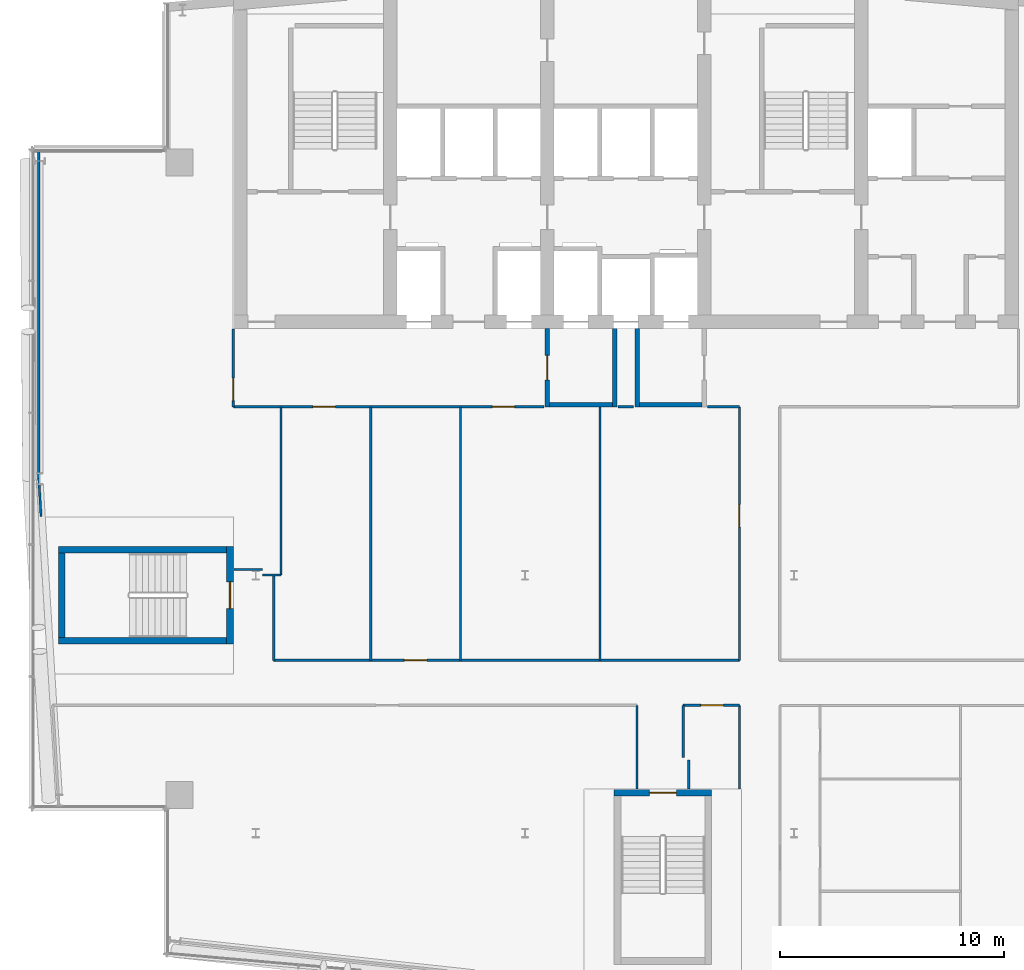
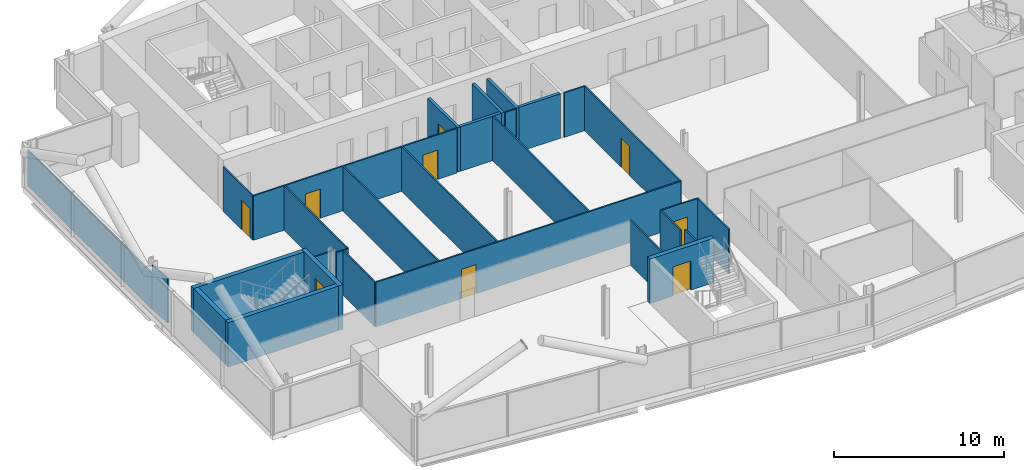
# One storey, part 15 of 27: 30 walls, 9 doors, 9 openings.
"""IFC4 building model written with IfcOpenShell, lengths in metres."""

from ifc_helpers import new_model, si_unit, direction, frame, frame_2d, origin, place, context, subcontext, project, spatial, rectangle, extrude, material, layer, layer_set, type_object, element, fill, save


model = new_model("IFC4")

# Units and contexts
model_context = context("Model", 3, precision=1e-05, world=origin(), true_north=direction((0.0, 1.0)))
body_context = subcontext(model_context, "Body", "Model", "MODEL_VIEW")
ifc_project = project(units=[si_unit("LENGTHUNIT", "METRE"), si_unit("AREAUNIT", "SQUARE_METRE"), si_unit("VOLUMEUNIT", "CUBIC_METRE"), si_unit("PLANEANGLEUNIT", "RADIAN"), si_unit("MASSUNIT", "GRAM", prefix="KILO")], contexts=[model_context])

# Site, building, storey
site_placement = place(None, origin())
site = spatial("IfcSite", under=ifc_project, at=site_placement, CompositionType="ELEMENT")
building_placement = place(site_placement, origin())
building = spatial("IfcBuilding", under=site, at=building_placement, Name="Wharfspan Tower", CompositionType="ELEMENT")
storey_placement = place(building_placement, frame((0.0, 0.0, 210.699951)))
storey = spatial("IfcBuildingStorey", under=building, at=storey_placement, Name="L52", CompositionType="ELEMENT", Elevation=210.699951)

# Wall, opening, door
ifc_material_1 = material(Name="Gypsum board on steel studs", Category="steel")
ifc_layer_1 = layer(ifc_material_1, 0.100098)
ifc_layer_set_1 = layer_set([ifc_layer_1], Name="Gypsum board on steel studs")
wall_type_1 = type_object("IfcWallType", Name="Compartment wall 100 EI 60", PredefinedType="PARTITIONING", material=ifc_layer_set_1)
wall_1_placement = place(storey_placement, frame((23.0, 30.5, 0.0), z_axis=(0.0, 0.0, 1.0), x_axis=(0.0, 1.0, 0.0)))
wall_1 = element("IfcWall", 1, at=wall_1_placement, inside=storey, type_object=wall_type_1, Name="Partition L52.w005", PredefinedType="PARTITIONING", context=body_context, shape_type="SweptSolid", body=[
    extrude(rectangle(XDim=3.47998, YDim=0.100098, at=frame_2d((1.73999, 0.0))), origin(), (0.0, 0.0, 1.0), 3.199951),
])
opening_1_placement = place(wall_1_placement, frame((0.280029, 0.0, 0.0)))
opening_1 = element("IfcOpeningElement", 2, at=opening_1_placement, cuts=wall_1, Name="Opening D2-16", PredefinedType="OPENING", context=body_context, shape_type="SweptSolid", body=[
    extrude(rectangle(XDim=1.0, YDim=2.100098, at=frame_2d((0.5, 1.050049))), frame((0.0, 0.060059, 0.0), z_axis=(0.0, -1.0, 0.0), x_axis=(1.0, 0.0, 0.0)), (0.0, 0.0, 1.0), 0.120117),
])
ifc_material_2 = material(Name="Fire-rated timber door leaf in steel frame", Category="steel")
door_type_1 = type_object("IfcDoorType", Name="Door 1000 FD30S Left", OperationType="SINGLE_SWING_LEFT", PredefinedType="DOOR", material=ifc_material_2)
door_1_placement = place(opening_1_placement, origin())
door_1 = element("IfcDoor", 3, at=door_1_placement, inside=storey, type_object=door_type_1, Name="Door D2-16", OperationType="SINGLE_SWING_LEFT", OverallHeight=2.100098, OverallWidth=1.0, PredefinedType="DOOR", context=body_context, shape_type="SweptSolid", body=[
    extrude(rectangle(XDim=1.0, YDim=2.100098, at=frame_2d((0.5, 1.050049))), frame((0.0, 0.024902, 0.0), z_axis=(0.0, -1.0, 0.0), x_axis=(1.0, 0.0, 0.0)), (0.0, 0.0, 1.0), 0.050049),
])
fill(opening_1, door_1)

# Wall, openings, doors
wall_2_placement = place(storey_placement, frame((23.0, 30.5, 0.0), z_axis=(0.0, 0.0, 1.0), x_axis=(1.0, 0.0, 0.0)))
wall_2 = element("IfcWall", 4, at=wall_2_placement, inside=storey, type_object=wall_type_1, Name="Partition L52.w006", PredefinedType="PARTITIONING", context=body_context, shape_type="SweptSolid", body=[
    extrude(rectangle(XDim=13.850098, YDim=0.100098, at=frame_2d((6.925049, 0.0))), origin(), (0.0, 0.0, 1.0), 3.199951),
])
opening_2_placement = place(wall_2_placement, frame((3.544922, 0.0, 0.0)))
opening_2 = element("IfcOpeningElement", 5, at=opening_2_placement, cuts=wall_2, Name="Opening D2-13", PredefinedType="OPENING", context=body_context, shape_type="SweptSolid", body=[
    extrude(rectangle(XDim=1.0, YDim=2.100098, at=frame_2d((0.5, 1.050049))), frame((0.0, 0.060059, 0.0), z_axis=(0.0, -1.0, 0.0), x_axis=(1.0, 0.0, 0.0)), (0.0, 0.0, 1.0), 0.120117),
])
opening_3_placement = place(wall_2_placement, frame((11.544922, 0.0, 0.0)))
opening_3 = element("IfcOpeningElement", 6, at=opening_3_placement, cuts=wall_2, Name="Opening D2-14", PredefinedType="OPENING", context=body_context, shape_type="SweptSolid", body=[
    extrude(rectangle(XDim=1.0, YDim=2.100098, at=frame_2d((0.5, 1.050049))), frame((0.0, 0.060059, 0.0), z_axis=(0.0, -1.0, 0.0), x_axis=(1.0, 0.0, 0.0)), (0.0, 0.0, 1.0), 0.120117),
])
door_2_placement = place(opening_2_placement, origin())
door_2 = element("IfcDoor", 7, at=door_2_placement, inside=storey, type_object=door_type_1, Name="Door D2-13", OperationType="SINGLE_SWING_LEFT", OverallHeight=2.100098, OverallWidth=1.0, PredefinedType="DOOR", context=body_context, shape_type="SweptSolid", body=[
    extrude(rectangle(XDim=1.0, YDim=2.100098, at=frame_2d((0.5, 1.050049))), frame((0.0, 0.024902, 0.0), z_axis=(0.0, -1.0, 0.0), x_axis=(1.0, 0.0, 0.0)), (0.0, 0.0, 1.0), 0.050049),
])
fill(opening_2, door_2)
door_type_2 = type_object("IfcDoorType", Name="Door 1000 FD30S Right", OperationType="SINGLE_SWING_RIGHT", PredefinedType="DOOR", material=ifc_material_2)
door_3_placement = place(opening_3_placement, origin())
door_3 = element("IfcDoor", 8, at=door_3_placement, inside=storey, type_object=door_type_2, Name="Door D2-14", OperationType="SINGLE_SWING_RIGHT", OverallHeight=2.100098, OverallWidth=1.0, PredefinedType="DOOR", context=body_context, shape_type="SweptSolid", body=[
    extrude(rectangle(XDim=1.0, YDim=2.100098, at=frame_2d((0.5, 1.050049))), frame((0.0, 0.024902, 0.0), z_axis=(0.0, -1.0, 0.0), x_axis=(1.0, 0.0, 0.0)), (0.0, 0.0, 1.0), 0.050049),
])
fill(opening_3, door_3)

# Walls
wall_3_placement = place(storey_placement, frame((23.02002, 23.25, 0.0), z_axis=(0.0, 0.0, 1.0), x_axis=(1.0, 0.0, 0.0)))
element("IfcWall", 9, at=wall_3_placement, inside=storey, type_object=wall_type_1, Name="Partition L52.w007", PredefinedType="PARTITIONING", context=body_context, shape_type="SweptSolid", body=[
    extrude(rectangle(XDim=1.280029, YDim=0.100098, at=frame_2d((0.640137, 0.0))), origin(), (0.0, 0.0, 1.0), 3.199951),
])
wall_4_placement = place(storey_placement, frame((24.304932, 23.0, 0.0), z_axis=(0.0, 0.0, 1.0), x_axis=(1.0, 0.0, 0.0)))
element("IfcWall", 10, at=wall_4_placement, inside=storey, type_object=wall_type_1, Name="Partition L52.w008", PredefinedType="PARTITIONING", context=body_context, shape_type="SweptSolid", body=[
    extrude(rectangle(XDim=0.820068, YDim=0.100098, at=frame_2d((0.410156, 0.0))), origin(), (0.0, 0.0, 1.0), 3.199951),
])
wall_5_placement = place(storey_placement, frame((24.800049, 19.199951, 0.0), z_axis=(0.0, 0.0, 1.0), x_axis=(0.0, 1.0, 0.0)))
element("IfcWall", 11, at=wall_5_placement, inside=storey, type_object=wall_type_1, Name="Partition L52.w009", PredefinedType="PARTITIONING", context=body_context, shape_type="SweptSolid", body=[
    extrude(rectangle(XDim=3.800049, YDim=0.100098, at=frame_2d((1.899902, 0.0))), origin(), (0.0, 0.0, 1.0), 3.199951),
])

# Wall, opening, door
wall_6_placement = place(storey_placement, frame((24.800049, 19.199951, 0.0), z_axis=(0.0, 0.0, 1.0), x_axis=(1.0, 0.0, 0.0)))
wall_6 = element("IfcWall", 12, at=wall_6_placement, inside=storey, type_object=wall_type_1, Name="Partition L52.w010", PredefinedType="PARTITIONING", context=body_context, shape_type="SweptSolid", body=[
    extrude(rectangle(XDim=20.76001, YDim=0.100098, at=frame_2d((10.379883, 0.0))), origin(), (0.0, 0.0, 1.0), 3.199951),
])
opening_4_placement = place(wall_6_placement, frame((5.824951, 0.0, 0.0)))
opening_4 = element("IfcOpeningElement", 13, at=opening_4_placement, cuts=wall_6, Name="Opening D2-09", PredefinedType="OPENING", context=body_context, shape_type="SweptSolid", body=[
    extrude(rectangle(XDim=1.0, YDim=2.100098, at=frame_2d((0.5, 1.050049))), frame((0.0, 0.060059, 0.0), z_axis=(0.0, -1.0, 0.0), x_axis=(1.0, 0.0, 0.0)), (0.0, 0.0, 1.0), 0.120117),
])
door_4_placement = place(opening_4_placement, origin())
door_4 = element("IfcDoor", 14, at=door_4_placement, inside=storey, type_object=door_type_1, Name="Door D2-09", OperationType="SINGLE_SWING_LEFT", OverallHeight=2.100098, OverallWidth=1.0, PredefinedType="DOOR", context=body_context, shape_type="SweptSolid", body=[
    extrude(rectangle(XDim=1.0, YDim=2.100098, at=frame_2d((0.5, 1.050049))), frame((0.0, 0.024902, 0.0), z_axis=(0.0, -1.0, 0.0), x_axis=(1.0, 0.0, 0.0)), (0.0, 0.0, 1.0), 0.050049),
])
fill(opening_4, door_4)

# Walls
wall_7_placement = place(storey_placement, frame((25.125, 23.0, 0.0), z_axis=(0.0, 0.0, 1.0), x_axis=(0.0, 1.0, 0.0)))
element("IfcWall", 15, at=wall_7_placement, inside=storey, type_object=wall_type_1, Name="Partition L52.w011", PredefinedType="PARTITIONING", context=body_context, shape_type="SweptSolid", body=[
    extrude(rectangle(XDim=7.5, YDim=0.100098, at=frame_2d((3.75, 0.0))), origin(), (0.0, 0.0, 1.0), 3.199951),
])
for number, where, z_axis, x_axis, name in (
    (16, (29.125, 19.199951, 0.0), (0.0, 0.0, 1.0), (0.0, 1.0, 0.0), "Partition L52.w012"),
    (17, (33.125, 19.199951, 0.0), (0.0, 0.0, 1.0), (0.0, 1.0, 0.0), "Partition L52.w013"),
    (18, (39.344971, 19.199951, 0.0), (0.0, 0.0, 1.0), (0.0, 1.0, 0.0), "Partition L52.w015"),
):
    element("IfcWall", number, at=place(storey_placement, frame(where, z_axis=z_axis, x_axis=x_axis)), inside=storey, type_object=wall_type_1, Name=name, PredefinedType="PARTITIONING", context=body_context, shape_type="SweptSolid", body=[
        extrude(rectangle(XDim=11.300049, YDim=0.100098, at=frame_2d((5.649902, 0.0))), origin(), (0.0, 0.0, 1.0), 3.199951),
    ])
wall_8_placement = place(storey_placement, frame((41.0, 13.463135, 0.0), z_axis=(0.0, 0.0, 1.0), x_axis=(0.0, 1.0, 0.0)))
element("IfcWall", 19, at=wall_8_placement, inside=storey, type_object=wall_type_1, Name="Partition L52.w016", PredefinedType="PARTITIONING", context=body_context, shape_type="SweptSolid", body=[
    extrude(rectangle(XDim=3.731934, YDim=0.100098, at=frame_2d((1.865967, 0.0))), origin(), (0.0, 0.0, 1.0), 3.199951),
])
wall_9_placement = place(storey_placement, frame((43.054932, 14.860107, 0.0), z_axis=(0.0, 0.0, 1.0), x_axis=(0.0, 1.0, 0.0)))
element("IfcWall", 20, at=wall_9_placement, inside=storey, type_object=wall_type_1, Name="Partition L52.w017", PredefinedType="PARTITIONING", context=body_context, shape_type="SweptSolid", body=[
    extrude(rectangle(XDim=2.334961, YDim=0.100098, at=frame_2d((1.16748, 0.0))), origin(), (0.0, 0.0, 1.0), 3.199951),
])

# Wall, opening, door
wall_10_placement = place(storey_placement, frame((43.054932, 17.195068, 0.0), z_axis=(0.0, 0.0, 1.0), x_axis=(1.0, 0.0, 0.0)))
wall_10 = element("IfcWall", 21, at=wall_10_placement, inside=storey, type_object=wall_type_1, Name="Partition L52.w018", PredefinedType="PARTITIONING", context=body_context, shape_type="SweptSolid", body=[
    extrude(rectangle(XDim=2.505127, YDim=0.100098, at=frame_2d((1.252441, 0.0))), origin(), (0.0, 0.0, 1.0), 3.199951),
])
opening_5_placement = place(wall_10_placement, frame((0.789307, 0.0, 0.0)))
opening_5 = element("IfcOpeningElement", 22, at=opening_5_placement, cuts=wall_10, Name="Opening D2-07", PredefinedType="OPENING", context=body_context, shape_type="SweptSolid", body=[
    extrude(rectangle(XDim=1.0, YDim=2.100098, at=frame_2d((0.5, 1.050049))), frame((0.0, 0.060059, 0.0), z_axis=(0.0, -1.0, 0.0), x_axis=(1.0, 0.0, 0.0)), (0.0, 0.0, 1.0), 0.120117),
])
door_5_placement = place(opening_5_placement, origin())
door_5 = element("IfcDoor", 23, at=door_5_placement, inside=storey, type_object=door_type_2, Name="Door D2-07", OperationType="SINGLE_SWING_RIGHT", OverallHeight=2.100098, OverallWidth=1.0, PredefinedType="DOOR", context=body_context, shape_type="SweptSolid", body=[
    extrude(rectangle(XDim=1.0, YDim=2.100098, at=frame_2d((0.5, 1.050049))), frame((0.0, 0.024902, 0.0), z_axis=(0.0, -1.0, 0.0), x_axis=(1.0, 0.0, 0.0)), (0.0, 0.0, 1.0), 0.050049),
])
fill(opening_5, door_5)

# Walls
wall_11_placement = place(storey_placement, frame((43.304932, 13.463135, 0.0), z_axis=(0.0, 0.0, 1.0), x_axis=(0.0, 1.0, 0.0)))
element("IfcWall", 24, at=wall_11_placement, inside=storey, type_object=wall_type_1, Name="Partition L52.w019", PredefinedType="PARTITIONING", context=body_context, shape_type="SweptSolid", body=[
    extrude(rectangle(XDim=1.281982, YDim=0.100098, at=frame_2d((0.641113, 0.0))), origin(), (0.0, 0.0, 1.0), 3.199951),
])
wall_12_placement = place(storey_placement, frame((45.560059, 13.463135, 0.0), z_axis=(0.0, 0.0, 1.0), x_axis=(0.0, 1.0, 0.0)))
element("IfcWall", 25, at=wall_12_placement, inside=storey, type_object=wall_type_1, Name="Partition L52.w020", PredefinedType="PARTITIONING", context=body_context, shape_type="SweptSolid", body=[
    extrude(rectangle(XDim=3.731934, YDim=0.100098, at=frame_2d((1.865967, 0.0))), origin(), (0.0, 0.0, 1.0), 3.199951),
])

# Wall, opening, door
wall_13_placement = place(storey_placement, frame((45.560059, 19.199951, 0.0), z_axis=(0.0, 0.0, 1.0), x_axis=(0.0, 1.0, 0.0)))
wall_13 = element("IfcWall", 26, at=wall_13_placement, inside=storey, type_object=wall_type_1, Name="Partition L52.w021", PredefinedType="PARTITIONING", context=body_context, shape_type="SweptSolid", body=[
    extrude(rectangle(XDim=11.300049, YDim=0.100098, at=frame_2d((5.649902, 0.0))), origin(), (0.0, 0.0, 1.0), 3.199951),
])
opening_6_placement = place(wall_13_placement, frame((5.939941, 0.0, 0.0)))
opening_6 = element("IfcOpeningElement", 27, at=opening_6_placement, cuts=wall_13, Name="Opening D2-12", PredefinedType="OPENING", context=body_context, shape_type="SweptSolid", body=[
    extrude(rectangle(XDim=1.0, YDim=2.100098, at=frame_2d((0.5, 1.050049))), frame((0.0, 0.060059, 0.0), z_axis=(0.0, -1.0, 0.0), x_axis=(1.0, 0.0, 0.0)), (0.0, 0.0, 1.0), 0.120117),
])
door_6_placement = place(opening_6_placement, origin())
door_6 = element("IfcDoor", 28, at=door_6_placement, inside=storey, type_object=door_type_2, Name="Door D2-12", OperationType="SINGLE_SWING_RIGHT", OverallHeight=2.100098, OverallWidth=1.0, PredefinedType="DOOR", context=body_context, shape_type="SweptSolid", body=[
    extrude(rectangle(XDim=1.0, YDim=2.100098, at=frame_2d((0.5, 1.050049))), frame((0.0, 0.024902, 0.0), z_axis=(0.0, -1.0, 0.0), x_axis=(1.0, 0.0, 0.0)), (0.0, 0.0, 1.0), 0.050049),
])
fill(opening_6, door_6)

# Walls
wall_14_placement = place(storey_placement, frame((40.149902, 30.5, 0.0), z_axis=(0.0, 0.0, 1.0), x_axis=(1.0, 0.0, 0.0)))
element("IfcWall", 29, at=wall_14_placement, inside=storey, type_object=wall_type_1, Name="Partition L52.w006 (2)", PredefinedType="PARTITIONING", context=body_context, shape_type="SweptSolid", body=[
    extrude(rectangle(XDim=0.700195, YDim=0.100098, at=frame_2d((0.350098, 0.0))), origin(), (0.0, 0.0, 1.0), 3.199951),
])
wall_15_placement = place(storey_placement, frame((44.149902, 30.5, 0.0), z_axis=(0.0, 0.0, 1.0), x_axis=(1.0, 0.0, 0.0)))
element("IfcWall", 30, at=wall_15_placement, inside=storey, type_object=wall_type_1, Name="Partition L52.w006 (3)", PredefinedType="PARTITIONING", context=body_context, shape_type="SweptSolid", body=[
    extrude(rectangle(XDim=1.410156, YDim=0.100098, at=frame_2d((0.705078, 0.0))), origin(), (0.0, 0.0, 1.0), 3.199951),
])

# Wall, opening, door
ifc_material_3 = material(Name="Concrete C30/37", Category="concrete")
ifc_layer_2 = layer(ifc_material_3, 0.199951)
ifc_layer_set_2 = layer_set([ifc_layer_2], Name="Concrete C30/37")
wall_type_2 = type_object("IfcWallType", Name="Lobby wall 200", PredefinedType="PARTITIONING", material=ifc_layer_set_2)
wall_16_placement = place(storey_placement, frame((37.0, 30.5, 0.0), z_axis=(0.0, 0.0, 1.0), x_axis=(0.0, 1.0, 0.0)))
wall_16 = element("IfcWall", 31, at=wall_16_placement, inside=storey, type_object=wall_type_2, Name="sw:L52:FLFF1W", PredefinedType="PARTITIONING", context=body_context, shape_type="SweptSolid", body=[
    extrude(rectangle(XDim=3.5, YDim=0.199951, at=frame_2d((1.75, 0.0))), origin(), (0.0, 0.0, 1.0), 3.199951),
])
opening_7_placement = place(wall_16_placement, frame((1.199951, 0.0, 0.0)))
opening_7 = element("IfcOpeningElement", 32, at=opening_7_placement, cuts=wall_16, Name="Opening FL.FF1.L52", PredefinedType="OPENING", context=body_context, shape_type="SweptSolid", body=[
    extrude(rectangle(XDim=1.100098, YDim=2.100098, at=frame_2d((0.550049, 1.050049))), frame((0.0, 0.109863, 0.0), z_axis=(0.0, -1.0, 0.0), x_axis=(1.0, 0.0, 0.0)), (0.0, 0.0, 1.0), 0.219971),
])
ifc_material_4 = material(Name="Steel door leaf", Category="steel")
door_type_3 = type_object("IfcDoorType", Name="Firefighting lobby door 1100x2100", OperationType="SINGLE_SWING_LEFT", PredefinedType="DOOR", material=ifc_material_4)
door_7_placement = place(opening_7_placement, origin())
door_7 = element("IfcDoor", 33, at=door_7_placement, inside=storey, type_object=door_type_3, Name="fd:L52:FF1", OperationType="SINGLE_SWING_LEFT", OverallHeight=2.100098, OverallWidth=1.100098, PredefinedType="DOOR", context=body_context, shape_type="SweptSolid", body=[
    extrude(rectangle(XDim=1.100098, YDim=2.100098, at=frame_2d((0.550049, 1.050049))), frame((0.0, 0.024902, 0.0), z_axis=(0.0, -1.0, 0.0), x_axis=(1.0, 0.0, 0.0)), (0.0, 0.0, 1.0), 0.050049),
])
fill(opening_7, door_7)

# Walls
wall_17_placement = place(storey_placement, frame((40.0, 30.5, 0.0), z_axis=(0.0, 0.0, 1.0), x_axis=(0.0, 1.0, 0.0)))
element("IfcWall", 34, at=wall_17_placement, inside=storey, type_object=wall_type_2, Name="sw:L52:FLFF1E", PredefinedType="PARTITIONING", context=body_context, shape_type="SweptSolid", body=[
    extrude(rectangle(XDim=3.5, YDim=0.199951, at=frame_2d((1.75, 0.0))), origin(), (0.0, 0.0, 1.0), 3.199951),
])
wall_18_placement = place(storey_placement, frame((37.100098, 30.600098, 0.0), z_axis=(0.0, 0.0, 1.0), x_axis=(1.0, 0.0, 0.0)))
element("IfcWall", 35, at=wall_18_placement, inside=storey, type_object=wall_type_2, Name="sw:L52:FLFF1F", PredefinedType="PARTITIONING", context=body_context, shape_type="SweptSolid", body=[
    extrude(rectangle(XDim=2.799805, YDim=0.199951, at=frame_2d((1.399902, 0.0))), origin(), (0.0, 0.0, 1.0), 3.199951),
])
wall_19_placement = place(storey_placement, frame((41.0, 30.5, 0.0), z_axis=(0.0, 0.0, 1.0), x_axis=(0.0, 1.0, 0.0)))
element("IfcWall", 36, at=wall_19_placement, inside=storey, type_object=wall_type_2, Name="sw:L52:FLFF2W", PredefinedType="PARTITIONING", context=body_context, shape_type="SweptSolid", body=[
    extrude(rectangle(XDim=3.5, YDim=0.199951, at=frame_2d((1.75, 0.0))), origin(), (0.0, 0.0, 1.0), 3.199951),
])
wall_20_placement = place(storey_placement, frame((41.100098, 30.600098, 0.0), z_axis=(0.0, 0.0, 1.0), x_axis=(1.0, 0.0, 0.0)))
element("IfcWall", 37, at=wall_20_placement, inside=storey, type_object=wall_type_2, Name="sw:L52:FLFF2F", PredefinedType="PARTITIONING", context=body_context, shape_type="SweptSolid", body=[
    extrude(rectangle(XDim=2.799805, YDim=0.199951, at=frame_2d((1.399902, 0.0))), origin(), (0.0, 0.0, 1.0), 3.199951),
])
ifc_layer_3 = layer(ifc_material_1, 0.100098)
ifc_layer_set_3 = layer_set([ifc_layer_3], Name="Gypsum board on steel studs")
wall_type_3 = type_object("IfcWallType", Name="Partition 100", PredefinedType="PARTITIONING", material=ifc_layer_set_3)
wall_21_placement = place(storey_placement, frame((14.324951, 27.300049, 0.0), z_axis=(0.0, 0.0, 1.0), x_axis=(0.0, 1.0, 0.0)))
element("IfcWall", 38, at=wall_21_placement, inside=storey, type_object=wall_type_3, Name="Partition L52.w001", PredefinedType="PARTITIONING", context=body_context, shape_type="SweptSolid", body=[
    extrude(rectangle(XDim=14.679932, YDim=0.100098, at=frame_2d((7.339844, 0.0))), origin(), (0.0, 0.0, 1.0), 2.580078),
])
wall_22_placement = place(storey_placement, frame((14.428711, 25.620117, 0.0), z_axis=(0.0, 0.0, 1.0), x_axis=(-0.061647, 0.998101, 0.0)))
element("IfcWall", 39, at=wall_22_placement, inside=storey, type_object=wall_type_3, Name="Partition L52.w002", PredefinedType="PARTITIONING", context=body_context, shape_type="SweptSolid", body=[
    extrude(rectangle(XDim=1.683105, YDim=0.100098, at=frame_2d((0.841553, 0.0))), origin(), (0.0, 0.0, 1.0), 3.199951),
])

# Wall, opening, door
ifc_material_5 = material(Name="Concrete C40/50", Category="concrete")
ifc_layer_4 = layer(ifc_material_5, 0.300049)
ifc_layer_set_4 = layer_set([ifc_layer_4], Name="Concrete C40/50")
wall_type_4 = type_object("IfcWallType", Name="Stair core wall 300", PredefinedType="SHEAR", material=ifc_layer_set_4)
wall_23_placement = place(storey_placement, frame((22.850098, 19.925049, 0.0), z_axis=(0.0, 0.0, 1.0), x_axis=(0.0, 1.0, 0.0)))
wall_23 = element("IfcWall", 40, at=wall_23_placement, inside=storey, type_object=wall_type_4, Name="ST3 stair enclosure wall L52", PredefinedType="SHEAR", context=body_context, shape_type="SweptSolid", body=[
    extrude(rectangle(XDim=4.349854, YDim=0.300049, at=frame_2d((2.174805, 0.0))), origin(), (0.0, 0.0, 1.0), 3.199951),
])
opening_8_placement = place(wall_23_placement, frame((1.574951, 0.0, 0.0)))
opening_8 = element("IfcOpeningElement", 41, at=opening_8_placement, cuts=wall_23, Name="Opening SD3.L52", PredefinedType="OPENING", context=body_context, shape_type="SweptSolid", body=[
    extrude(rectangle(XDim=1.199951, YDim=2.100098, at=frame_2d((0.600098, 1.050049))), frame((0.0, 0.159912, 0.0), z_axis=(0.0, -1.0, 0.0), x_axis=(1.0, 0.0, 0.0)), (0.0, 0.0, 1.0), 0.320068),
])
door_type_4 = type_object("IfcDoorType", Name="Stair door 1200x2100", OperationType="SINGLE_SWING_LEFT", PredefinedType="DOOR", material=ifc_material_4)
door_8_placement = place(opening_8_placement, origin())
door_8 = element("IfcDoor", 42, at=door_8_placement, inside=storey, type_object=door_type_4, Name="sd:L52:ST3z4", OperationType="SINGLE_SWING_RIGHT", OverallHeight=2.100098, OverallWidth=1.199951, PredefinedType="DOOR", context=body_context, shape_type="SweptSolid", body=[
    extrude(rectangle(XDim=1.199951, YDim=2.100098, at=frame_2d((0.600098, 1.050049))), frame((0.0, 0.024902, 0.0), z_axis=(0.0, -1.0, 0.0), x_axis=(1.0, 0.0, 0.0)), (0.0, 0.0, 1.0), 0.050049),
])
fill(opening_8, door_8)

wall_24_placement = place(storey_placement, frame((39.977051, 13.293213, 0.0), z_axis=(0.0, 0.0, 1.0), x_axis=(1.0, 0.0, 0.0)))
wall_24 = element("IfcWall", 43, at=wall_24_placement, inside=storey, type_object=wall_type_4, Name="ST4 stair enclosure wall L52", PredefinedType="SHEAR", context=body_context, shape_type="SweptSolid", body=[
    extrude(rectangle(XDim=4.350098, YDim=0.300049, at=frame_2d((2.175049, 0.0))), origin(), (0.0, 0.0, 1.0), 3.199951),
])
opening_9_placement = place(wall_24_placement, frame((1.574951, 0.0, 0.0)))
opening_9 = element("IfcOpeningElement", 44, at=opening_9_placement, cuts=wall_24, Name="Opening SD4.L52", PredefinedType="OPENING", context=body_context, shape_type="SweptSolid", body=[
    extrude(rectangle(XDim=1.199951, YDim=2.100098, at=frame_2d((0.600098, 1.050049))), frame((0.0, 0.159912, 0.0), z_axis=(0.0, -1.0, 0.0), x_axis=(1.0, 0.0, 0.0)), (0.0, 0.0, 1.0), 0.320068),
])
door_9_placement = place(opening_9_placement, origin())
door_9 = element("IfcDoor", 45, at=door_9_placement, inside=storey, type_object=door_type_4, Name="sd:L52:ST4z4", OperationType="SINGLE_SWING_RIGHT", OverallHeight=2.100098, OverallWidth=1.199951, PredefinedType="DOOR", context=body_context, shape_type="SweptSolid", body=[
    extrude(rectangle(XDim=1.199951, YDim=2.100098, at=frame_2d((0.600098, 1.050049))), frame((0.0, 0.024902, 0.0), z_axis=(0.0, -1.0, 0.0), x_axis=(1.0, 0.0, 0.0)), (0.0, 0.0, 1.0), 0.050049),
])
fill(opening_9, door_9)

# Walls
for number, where, z_axis, x_axis, name in (
    (46, (15.199951, 20.074951, 0.0), (0.0, 0.0, 1.0), (1.0, 0.0, 0.0), "ST3 stair enclosure wall L52"),
    (47, (15.199951, 24.125, 0.0), (0.0, 0.0, 1.0), (1.0, 0.0, 0.0), "ST3 stair enclosure wall L52"),
):
    element("IfcWall", number, at=place(storey_placement, frame(where, z_axis=z_axis, x_axis=x_axis)), inside=storey, type_object=wall_type_4, Name=name, PredefinedType="SHEAR", context=body_context, shape_type="SweptSolid", body=[
        extrude(rectangle(XDim=7.5, YDim=0.300049, at=frame_2d((3.75, 0.0))), origin(), (0.0, 0.0, 1.0), 3.199951),
    ])
wall_25_placement = place(storey_placement, frame((15.350098, 20.225098, 0.0), z_axis=(0.0, 0.0, 1.0), x_axis=(0.0, 1.0, 0.0)))
element("IfcWall", 48, at=wall_25_placement, inside=storey, type_object=wall_type_4, Name="ST3 stair enclosure wall L52", PredefinedType="SHEAR", context=body_context, shape_type="SweptSolid", body=[
    extrude(rectangle(XDim=3.75, YDim=0.300049, at=frame_2d((1.875, 0.0))), origin(), (0.0, 0.0, 1.0), 3.199951),
])

save(model, "model.ifc")
